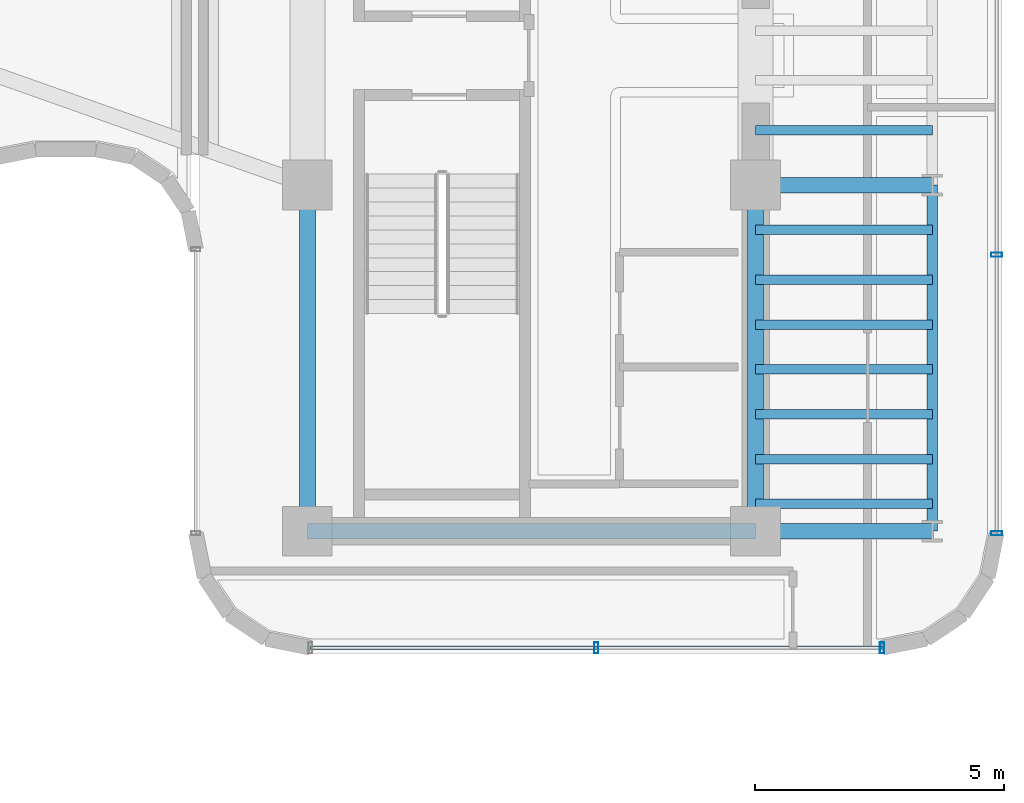
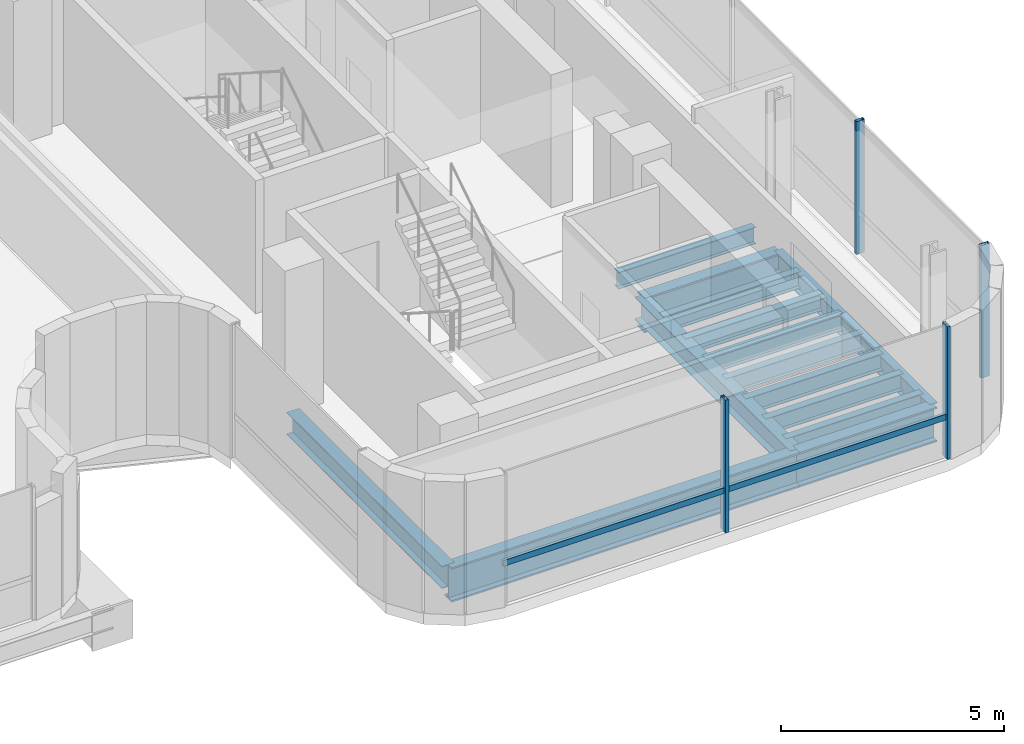
# One storey, part 13 of 39: 14 beams, 5 members, 2 elements without a shape of their own.
"""IFC4 building model written with IfcOpenShell, lengths in metres."""

import ifcopenshell
import ifcopenshell.guid

model = None  # the IFC model being written
_history = None  # IfcOwnerHistory: only IFC2X3 demands one
_inside = {}  # id of a spatial element -> (the spatial element, [elements in it])
_under = {}  # id of a project, library or spatial element -> (it, [spatial elements below it])
_declared = {}  # id of a project -> (the project, [libraries it declares])
_typed = {}  # id of a type object -> (the type object, [elements of that type])
_made_of = {}  # id of a material, layer set ... -> (it, [elements and type objects made of it])


def new_model(schema):
    """Start an empty IFC model of exactly this schema.

    Asked for "IFC4X3", IfcOpenShell would pick the latest addendum, in which some entities
    have other attributes; the version numbers below select the first issue.
    IFC2X3 requires an IfcOwnerHistory on every rooted entity: one is made here for all.
    """
    global model, _history
    if schema == "IFC4X3":
        model = ifcopenshell.file(schema_version=(4, 3, 0, 0))
    else:
        model = ifcopenshell.file(schema=schema)
    _inside.clear()
    _under.clear()
    _declared.clear()
    _typed.clear()
    _made_of.clear()
    _history = None
    if model.schema == "IFC2X3":
        org = make("IfcOrganization", Name="unknown")
        user = make(
            "IfcPersonAndOrganization",
            ThePerson=make("IfcPerson", FamilyName="unknown"),
            TheOrganization=org,
        )
        app = make(
            "IfcApplication",
            ApplicationDeveloper=org,
            Version="unknown",
            ApplicationFullName="unknown",
            ApplicationIdentifier="unknown",
        )
        _history = make(
            "IfcOwnerHistory",
            OwningUser=user,
            OwningApplication=app,
            ChangeAction="ADDED",
            CreationDate=0,
        )
    return model


def make(cls, **values):
    """One entity of the class cls with the attributes given. An attribute that is None is left unset."""
    return model.create_entity(
        cls, **{name: value for name, value in values.items() if value is not None}
    )


def rooted(cls, **values):
    """An entity with a GlobalId (a new one), such as an element, a storey or a relation."""
    return make(cls, GlobalId=ifcopenshell.guid.new(), OwnerHistory=_history, **values)


def si_unit(unit_type, name, prefix=None):
    """IfcSIUnit, for example si_unit("LENGTHUNIT", "METRE", prefix="MILLI")."""
    return make("IfcSIUnit", UnitType=unit_type, Prefix=prefix, Name=name)


def assignment(units):
    """IfcUnitAssignment: the units of a project."""
    return None if units is None else make("IfcUnitAssignment", Units=units)


def point(xyz):
    """IfcCartesianPoint."""
    return None if xyz is None else make("IfcCartesianPoint", Coordinates=xyz)


def direction(xyz):
    """IfcDirection."""
    return None if xyz is None else make("IfcDirection", DirectionRatios=xyz)


def frame(location, z_axis=None, x_axis=None):
    """IfcAxis2Placement3D, a coordinate frame: its origin and axes. An axis left out is left unset."""
    return make(
        "IfcAxis2Placement3D",
        Location=point(location),
        Axis=direction(z_axis),
        RefDirection=direction(x_axis),
    )


def frame_2d(location, x_axis=None):
    """IfcAxis2Placement2D, a coordinate frame in the plane: its origin and x axis."""
    return make(
        "IfcAxis2Placement2D", Location=point(location), RefDirection=direction(x_axis)
    )


def origin():
    """The frame at (0, 0, 0) with its axes left unset."""
    return frame((0.0, 0.0, 0.0))


def origin_2d():
    """The frame at (0, 0) in the plane with its x axis left unset."""
    return frame_2d((0.0, 0.0))


def place(relative_to, where):
    """IfcLocalPlacement: puts the frame where relative to a parent placement (None: the world)."""
    return make(
        "IfcLocalPlacement", PlacementRelTo=relative_to, RelativePlacement=where
    )


def context(
    kind, dimensions, precision=None, world=None, true_north=None, identifier=None
):
    """IfcGeometricRepresentationContext, for example the 3D "Model" context."""
    return make(
        "IfcGeometricRepresentationContext",
        ContextIdentifier=identifier,
        ContextType=kind,
        CoordinateSpaceDimension=dimensions,
        Precision=precision,
        WorldCoordinateSystem=world,
        TrueNorth=true_north,
    )


def subcontext(parent, identifier, kind, view, scale=None):
    """IfcGeometricRepresentationSubContext, for example "Body" below "Model"."""
    return make(
        "IfcGeometricRepresentationSubContext",
        ContextIdentifier=identifier,
        ContextType=kind,
        ParentContext=parent,
        TargetScale=scale,
        TargetView=view,
    )


def project(units=None, contexts=None):
    """IfcProject with its units and contexts."""
    return rooted(
        "IfcProject",
        Name="project",
        RepresentationContexts=contexts,
        UnitsInContext=assignment(units),
    )


def spatial(cls, under=None, at=None, **own):
    """A site, building, storey or space (cls), placed at a placement, below another one or the project."""
    s = rooted(cls, ObjectPlacement=at, **own)
    if under is not None:
        _under.setdefault(under.id(), (under, []))[1].append(s)
    return s


def profile(cls, at=None, kind="AREA", **sizes):
    """A parametric profile (cls). Its sizes go by their IFC names, for example OverallWidth=200.0."""
    return make(cls, ProfileType=kind, Position=at, **sizes)


def hollow_rectangle(**sizes):
    """IfcRectangleHollowProfileDef."""
    return profile("IfcRectangleHollowProfileDef", **sizes)


def i_section(**sizes):
    """IfcIShapeProfileDef."""
    return profile("IfcIShapeProfileDef", **sizes)


def extrude(swept, where, along, depth):
    """IfcExtrudedAreaSolid: the profile swept, set in the frame where, extruded along a direction by depth."""
    return make(
        "IfcExtrudedAreaSolid",
        SweptArea=swept,
        Position=where,
        ExtrudedDirection=direction(along),
        Depth=depth,
    )


def shape(context_of_items, identifier, shape_type, items):
    """IfcShapeRepresentation: the items that make up one representation, for example the "Body"."""
    return make(
        "IfcShapeRepresentation",
        ContextOfItems=context_of_items,
        RepresentationIdentifier=identifier,
        RepresentationType=shape_type,
        Items=items,
    )


def source(mapping_origin, context_of_items, identifier, shape_type, items):
    """IfcRepresentationMap: a shape defined once, which mapped items show again and again."""
    return make(
        "IfcRepresentationMap",
        MappingOrigin=mapping_origin,
        MappedRepresentation=shape(context_of_items, identifier, shape_type, items),
    )


def transform(
    local_origin,
    x_axis=None,
    y_axis=None,
    z_axis=None,
    scale=None,
    scale2=None,
    scale3=None,
    uniform=True,
):
    """IfcCartesianTransformationOperator3D, or its non-uniform kind. x_axis, y_axis, z_axis: its Axis1, 2, 3."""
    if uniform:
        return make(
            "IfcCartesianTransformationOperator3D",
            Axis1=direction(x_axis),
            Axis2=direction(y_axis),
            LocalOrigin=point(local_origin),
            Scale=scale,
            Axis3=direction(z_axis),
        )
    return make(
        "IfcCartesianTransformationOperator3DnonUniform",
        Axis1=direction(x_axis),
        Axis2=direction(y_axis),
        LocalOrigin=point(local_origin),
        Scale=scale,
        Axis3=direction(z_axis),
        Scale2=scale2,
        Scale3=scale3,
    )


def mapped(mapping_source, mapping_target):
    """IfcMappedItem: shows the shape of a source again, moved by a transform."""
    return make(
        "IfcMappedItem", MappingSource=mapping_source, MappingTarget=mapping_target
    )


def material(Name=None, Category=None):
    """IfcMaterial."""
    return make("IfcMaterial", Name=Name, Category=Category)


def material_profile(
    of_material, cross_section, Name=None, Category=None, Priority=None
):
    """IfcMaterialProfile: a cross section and its material."""
    return make(
        "IfcMaterialProfile",
        Name=Name,
        Material=of_material,
        Profile=cross_section,
        Priority=Priority,
        Category=Category,
    )


def profile_set(profiles, Name=None, composite=None):
    """IfcMaterialProfileSet."""
    return make(
        "IfcMaterialProfileSet",
        Name=Name,
        MaterialProfiles=profiles,
        CompositeProfile=composite,
    )


def made_of(thing, what):
    """Note that an element or type object is made of a material, layer set ...; save() writes the relation."""
    if what is not None:
        _made_of.setdefault(what.id(), (what, []))[1].append(thing)
    return thing


def type_object(cls, material=None, **own):
    """A type object (cls), such as IfcWallType, which elements share."""
    return made_of(rooted(cls, **own), material)


def element(
    cls,
    number,
    at=None,
    inside=None,
    cuts=None,
    type_object=None,
    material=None,
    context=None,
    identifier="Body",
    shape_type=None,
    held_by="IfcProductDefinitionShape",
    body=None,
    shapes=None,
    **own,
):
    """One element of the class cls, such as IfcWall. Its Tag is "e" and its number.

    at: its placement. inside: the storey or other place that contains it. cuts: it is an
    opening in that element (IfcRelVoidsElement). A single representation is given by context,
    identifier, shape_type and body (its items); several are given by shapes. held_by: the class
    of the entity that holds the representations. save() writes the other relations.
    """
    e = rooted(cls, Tag="e%d" % number, ObjectPlacement=at, **own)
    if body is not None:
        shapes = [shape(context, identifier, shape_type, body)]
    if shapes is not None:
        e.Representation = make(held_by, Representations=shapes)
    if inside is not None:
        _inside.setdefault(inside.id(), (inside, []))[1].append(e)
    if cuts is not None:
        rooted(
            "IfcRelVoidsElement", RelatingBuildingElement=cuts, RelatedOpeningElement=e
        )
    if type_object is not None:
        _typed.setdefault(type_object.id(), (type_object, []))[1].append(e)
    return made_of(e, material)


def aggregate(whole, parts):
    """IfcRelAggregates: a whole, such as a stair, and the parts it consists of."""
    return rooted("IfcRelAggregates", RelatingObject=whole, RelatedObjects=parts)


def save(model, path):
    """Write the relations noted so far, then the file.

    IfcRelAggregates (storeys below a building ...), IfcRelContainedInSpatialStructure (elements
    in a storey), IfcRelDefinesByType, IfcRelAssociatesMaterial and IfcRelDeclares: one each for
    every whole, place, type object, material and project.
    """
    for whole, parts in _under.values():
        aggregate(whole, parts)
    for where, things in _inside.values():
        rooted(
            "IfcRelContainedInSpatialStructure",
            RelatedElements=things,
            RelatingStructure=where,
        )
    for kind, things in _typed.values():
        rooted("IfcRelDefinesByType", RelatedObjects=things, RelatingType=kind)
    for what, things in _made_of.values():
        rooted("IfcRelAssociatesMaterial", RelatedObjects=things, RelatingMaterial=what)
    for by, libraries in _declared.values():
        rooted("IfcRelDeclares", RelatingContext=by, RelatedDefinitions=libraries)
    model.write(path)


model = new_model("IFC4")

# Units and contexts
model_context = context("Model", 3, precision=1e-05, world=origin(), true_north=direction((0.0, 1.0)))
body_context = subcontext(model_context, "Body", "Model", "MODEL_VIEW")
ifc_project = project(units=[si_unit("LENGTHUNIT", "METRE"), si_unit("AREAUNIT", "SQUARE_METRE"), si_unit("VOLUMEUNIT", "CUBIC_METRE"), si_unit("PLANEANGLEUNIT", "RADIAN"), si_unit("MASSUNIT", "GRAM", prefix="KILO")], contexts=[model_context])

# Site, building, storey
site_placement = place(None, origin())
site = spatial("IfcSite", under=ifc_project, at=site_placement, CompositionType="ELEMENT")
building_placement = place(site_placement, origin())
building = spatial("IfcBuilding", under=site, at=building_placement, Name="Valdorenza Pilgrim Sanctuary Tower", CompositionType="ELEMENT")
storey_placement = place(building_placement, frame((0.0, 0.0, 184.449951171875)))
storey = spatial("IfcBuildingStorey", under=building, at=storey_placement, Name="L47", CompositionType="ELEMENT", Elevation=184.449951171875)

# Beams
ifc_material_1 = material(Name="Steel ASTM A992 Grade 50", Category="steel")
ifc_material_profile_1 = material_profile(ifc_material_1, i_section(OverallWidth=0.323974609375, OverallDepth=0.611083984375, WebThickness=0.0126953125, FlangeThickness=0.01904296875, at=origin_2d()), Name="W24X104")
ifc_profile_set_1 = profile_set([ifc_material_profile_1], Name="Steel ASTM A992 Grade 50")
beam_type_1 = type_object("IfcBeamType", Name="STR-BM-GRD-W24B", PredefinedType="BEAM", material=ifc_profile_set_1)
shared_shape_1 = source(origin(), body_context, "Body", "SweptSolid", [
    extrude(i_section(OverallWidth=0.323974609375, OverallDepth=0.611083984375, WebThickness=0.0126953125, FlangeThickness=0.01904296875, at=origin_2d()), origin(), (0.0, 0.0, 1.0), 6.949951171875),
])
for number, where, z_axis, x_axis, name in (
    (1, (15.85009765625, -9.550048828125, -0.62548828125), (0.0, 1.0, 0.0), (-1.0, 0.0, 0.0), "L47 Core Tie Girder CB-W-S1M0"),
    (2, (24.85009765625, -9.550048828125, -0.62548828125), (0.0, 1.0, 0.0), (-1.0, 0.0, 0.0), "L47 Core Tie Girder CB-E-S1M0"),
):
    element("IfcBeam", number, at=place(storey_placement, frame(where, z_axis=z_axis, x_axis=x_axis)), inside=storey, type_object=beam_type_1, Name=name, PredefinedType="BEAM", context=body_context, shape_type="MappedRepresentation", body=[
        mapped(shared_shape_1, transform((0.0, 0.0, 0.0), x_axis=(1.0, 0.0, 0.0), y_axis=(0.0, 1.0, 0.0), z_axis=(0.0, 0.0, 1.0), scale=1.0)),
    ])
ifc_material_profile_2 = material_profile(ifc_material_1, i_section(OverallWidth=0.19091796875, OverallDepth=0.45703125, WebThickness=0.009033203125, FlangeThickness=0.014404296875, at=origin_2d()), Name="W18X50")
ifc_profile_set_2 = profile_set([ifc_material_profile_2], Name="Steel ASTM A992 Grade 50")
beam_type_2 = type_object("IfcBeamType", Name="STR-BM-JST-W18B", PredefinedType="JOIST", material=ifc_profile_set_2)
shared_shape_2 = source(origin(), body_context, "Body", "SweptSolid", [
    extrude(i_section(OverallWidth=0.19091796875, OverallDepth=0.45703125, WebThickness=0.009033203125, FlangeThickness=0.014404296875, at=origin_2d()), origin(), (0.0, 0.0, 1.0), 3.5498046875),
])
for number, where, z_axis, x_axis, name in (
    (3, (24.85009765625, -9.0, -0.54833984375), (1.0, 0.0, 0.0), (0.0, 1.0, 0.0), "L47 Composite Floor Joist JST-WB-1"),
    (4, (24.85009765625, -8.10009765625, -0.54833984375), (1.0, 0.0, 0.0), (0.0, 1.0, 0.0), "L47 Composite Floor Joist JST-WB-2"),
    (5, (24.85009765625, -7.199951171875, -0.54833984375), (1.0, 0.0, 0.0), (0.0, 1.0, 0.0), "L47 Composite Floor Joist JST-WB-3"),
    (6, (24.85009765625, -6.300048828125, -0.54833984375), (1.0, 0.0, 0.0), (0.0, 1.0, 0.0), "L47 Composite Floor Joist JST-WB-4"),
    (7, (24.85009765625, -5.39990234375, -0.54833984375), (1.0, 0.0, 0.0), (0.0, 1.0, 0.0), "L47 Composite Floor Joist JST-WB-5"),
    (8, (24.85009765625, -4.5, -0.54833984375), (1.0, 0.0, 0.0), (0.0, 1.0, 0.0), "L47 Composite Floor Joist JST-WB-6"),
    (9, (24.85009765625, -3.5, -0.54833984375), (1.0, 0.0, 0.0), (0.0, 1.0, 0.0), "L47 Composite Floor Joist JST-WB-7"),
    (10, (24.85009765625, -1.5, -0.54833984375), (1.0, 0.0, 0.0), (0.0, 1.0, 0.0), "L47 Composite Floor Joist JST-WB-8"),
):
    element("IfcBeam", number, at=place(storey_placement, frame(where, z_axis=z_axis, x_axis=x_axis)), inside=storey, type_object=beam_type_2, Name=name, PredefinedType="JOIST", context=body_context, shape_type="MappedRepresentation", body=[
        mapped(shared_shape_2, transform((0.0, 0.0, 0.0), x_axis=(1.0, 0.0, 0.0), y_axis=(0.0, 1.0, 0.0), z_axis=(0.0, 0.0, 1.0), scale=1.0)),
    ])
ifc_material_profile_3 = material_profile(ifc_material_1, i_section(OverallWidth=0.2109375, OverallDepth=0.5390625, WebThickness=0.01171875, FlangeThickness=0.018798828125, at=origin_2d()), Name="W21X73")
ifc_profile_set_3 = profile_set([ifc_material_profile_3], Name="Steel ASTM A992 Grade 50")
beam_type_3 = type_object("IfcBeamType", Name="STR-BM-SPN-W21B", PredefinedType="SPANDREL", material=ifc_profile_set_3)
shared_shape_3 = source(origin(), body_context, "Body", "SweptSolid", [
    extrude(i_section(OverallWidth=0.2109375, OverallDepth=0.5390625, WebThickness=0.01171875, FlangeThickness=0.018798828125, at=origin_2d()), origin(), (0.0, 0.0, 1.0), 6.949951171875),
])
beam_1_placement = place(storey_placement, frame((28.39990234375, -9.550048828125, -0.58935546875), z_axis=(0.0, 1.0, 0.0), x_axis=(-1.0, 0.0, 0.0)))
element("IfcBeam", 11, at=beam_1_placement, inside=storey, type_object=beam_type_3, Name="L47 Spandrel Beam WB-E-S1M0", PredefinedType="SPANDREL", context=body_context, shape_type="MappedRepresentation", body=[
    mapped(shared_shape_3, transform((0.0, 0.0, 0.0), x_axis=(1.0, 0.0, 0.0), y_axis=(0.0, 1.0, 0.0), z_axis=(0.0, 0.0, 1.0), scale=1.0)),
])
ifc_material_profile_4 = material_profile(ifc_material_1, i_section(OverallWidth=0.31005859375, OverallDepth=0.949951171875, WebThickness=0.0244140625, FlangeThickness=0.0439453125, at=origin_2d()), Name="W36X256")
ifc_profile_set_4 = profile_set([ifc_material_profile_4], Name="Steel ASTM A992 Grade 50")
beam_type_4 = type_object("IfcBeamType", Name="STR-BM-GRD-W36B", PredefinedType="BEAM", material=ifc_profile_set_4)
shared_shape_4 = source(origin(), body_context, "Body", "SweptSolid", [
    extrude(i_section(OverallWidth=0.31005859375, OverallDepth=0.949951171875, WebThickness=0.0244140625, FlangeThickness=0.0439453125, at=origin_2d()), origin(), (0.0, 0.0, 1.0), 9.0),
])
beam_2_placement = place(storey_placement, frame((15.85009765625, -9.550048828125, -0.794921875), z_axis=(1.0, 0.0, 0.0), x_axis=(0.0, 1.0, 0.0)))
element("IfcBeam", 12, at=beam_2_placement, inside=storey, type_object=beam_type_4, Name="L47 Floor Girder CB-XC-S1", PredefinedType="BEAM", context=body_context, shape_type="MappedRepresentation", body=[
    mapped(shared_shape_4, transform((0.0, 0.0, 0.0), x_axis=(1.0, 0.0, 0.0), y_axis=(0.0, 1.0, 0.0), z_axis=(0.0, 0.0, 1.0), scale=1.0)),
])
shared_shape_5 = source(origin(), body_context, "Body", "SweptSolid", [
    extrude(i_section(OverallWidth=0.31005859375, OverallDepth=0.949951171875, WebThickness=0.0244140625, FlangeThickness=0.0439453125, at=origin_2d()), origin(), (0.0, 0.0, 1.0), 3.5498046875),
])
for number, where, z_axis, x_axis, name in (
    (13, (24.85009765625, -9.550048828125, -0.794921875), (1.0, 0.0, 0.0), (0.0, 1.0, 0.0), "L47 Floor Girder WB-XE-S1"),
    (14, (24.85009765625, -2.60009765625, -0.794921875), (1.0, 0.0, 0.0), (0.0, 1.0, 0.0), "L47 Floor Girder WB-XE-M0"),
):
    element("IfcBeam", number, at=place(storey_placement, frame(where, z_axis=z_axis, x_axis=x_axis)), inside=storey, type_object=beam_type_4, Name=name, PredefinedType="BEAM", context=body_context, shape_type="MappedRepresentation", body=[
        mapped(shared_shape_5, transform((0.0, 0.0, 0.0), x_axis=(1.0, 0.0, 0.0), y_axis=(0.0, 1.0, 0.0), z_axis=(0.0, 0.0, 1.0), scale=1.0)),
    ])

# Curtain wall, member
ifc_material_2 = material(Name="Curtain-wall IGU glazing", Category="glass")
curtain_wall_type = type_object("IfcCurtainWallType", Name="CW-SYS-03", PredefinedType="NOTDEFINED", material=ifc_material_2)
curtain_wall_1_placement = place(storey_placement, origin())
curtain_wall_1 = element("IfcCurtainWall", 15, at=curtain_wall_1_placement, inside=storey, type_object=curtain_wall_type, Name="L47 Curtain Wall CW-L47-1-42", PredefinedType="NOTDEFINED")
ifc_material_3 = material(Name="Anodised aluminium AW-6060", Category="aluminium")
ifc_material_profile_5 = material_profile(ifc_material_3, hollow_rectangle(XDim=0.074951171875, YDim=0.159912109375, WallThickness=0.00390625, at=origin_2d()), Name="ALU-T 160x75x4")
ifc_profile_set_5 = profile_set([ifc_material_profile_5], Name="Anodised aluminium AW-6060")
member_type_1 = type_object("IfcMemberType", Name="CW-TRN-03", PredefinedType="USERDEFINED", material=ifc_profile_set_5)
shared_shape_6 = source(origin(), body_context, "Body", "SweptSolid", [
    extrude(hollow_rectangle(XDim=0.074951171875, YDim=0.159912109375, WallThickness=0.00390625, at=origin_2d()), origin(), (0.0, 0.0, 1.0), 11.478271484375),
])
member_1_placement = place(storey_placement, frame((27.38916015625, -11.889892578125, 1.1201171875), z_axis=(-1.0, 0.0, 0.0), x_axis=(0.0, -1.0, 0.0)))
member_1 = element("IfcMember", 16, at=member_1_placement, type_object=member_type_1, Name="CW-L47-1-42 Transom 1", ObjectType="TRANSOM", PredefinedType="USERDEFINED", context=body_context, shape_type="MappedRepresentation", body=[
    mapped(shared_shape_6, transform((0.0, 0.0, 0.0), x_axis=(1.0, 0.0, 0.0), y_axis=(0.0, 1.0, 0.0), z_axis=(0.0, 0.0, 1.0), scale=1.0)),
])

# Curtain wall, members
curtain_wall_2_placement = place(storey_placement, origin())
curtain_wall_2 = element("IfcCurtainWall", 17, at=curtain_wall_2_placement, inside=storey, type_object=curtain_wall_type, Name="L47 Curtain Wall CW-L47-1-37", PredefinedType="NOTDEFINED")
ifc_material_profile_6 = material_profile(ifc_material_3, hollow_rectangle(XDim=0.0849609375, YDim=0.219970703125, WallThickness=0.0048828125, at=origin_2d()), Name="ALU-M 220x85x5")
ifc_profile_set_6 = profile_set([ifc_material_profile_6], Name="Anodised aluminium AW-6060")
member_type_2 = type_object("IfcMemberType", Name="CW-MUL-03", PredefinedType="MULLION", material=ifc_profile_set_6)
shared_shape_7 = source(origin(), body_context, "Body", "SweptSolid", [
    extrude(hollow_rectangle(XDim=0.0849609375, YDim=0.219970703125, WallThickness=0.0048828125, at=origin_2d()), origin(), (0.0, 0.0, 1.0), 3.630126953125),
])
member_2_placement = place(storey_placement, frame((29.68994140625, -3.999755859375, 0.0), z_axis=(0.0, 0.0, 1.0), x_axis=(0.0, -1.0, 0.0)))
member_2 = element("IfcMember", 18, at=member_2_placement, type_object=member_type_2, Name="CW-L47-1-37 Mullion 4", PredefinedType="MULLION", context=body_context, shape_type="MappedRepresentation", body=[
    mapped(shared_shape_7, transform((0.0, 0.0, 0.0), x_axis=(1.0, 0.0, 0.0), y_axis=(0.0, 1.0, 0.0), z_axis=(0.0, 0.0, 1.0), scale=1.0)),
])
member_3_placement = place(storey_placement, frame((29.68994140625, -9.589111328125, 0.0), z_axis=(0.0, 0.0, 1.0), x_axis=(0.0, -1.0, 0.0)))
member_3 = element("IfcMember", 19, at=member_3_placement, type_object=member_type_2, Name="CW-L47-1-37 Mullion 5", PredefinedType="MULLION", context=body_context, shape_type="MappedRepresentation", body=[
    mapped(shared_shape_7, transform((0.0, 0.0, 0.0), x_axis=(1.0, 0.0, 0.0), y_axis=(0.0, 1.0, 0.0), z_axis=(0.0, 0.0, 1.0), scale=1.0)),
])
aggregate(curtain_wall_2, [member_2, member_3])

# Member
member_4_placement = place(storey_placement, frame((27.38916015625, -11.889892578125, 0.0), z_axis=(0.0, 0.0, 1.0), x_axis=(-1.0, 0.0, 0.0)))
member_4 = element("IfcMember", 20, at=member_4_placement, type_object=member_type_2, Name="CW-L47-1-42 Mullion 1", PredefinedType="MULLION", context=body_context, shape_type="MappedRepresentation", body=[
    mapped(shared_shape_7, transform((0.0, 0.0, 0.0), x_axis=(1.0, 0.0, 0.0), y_axis=(0.0, 1.0, 0.0), z_axis=(0.0, 0.0, 1.0), scale=1.0)),
])

member_5_placement = place(storey_placement, frame((21.64990234375, -11.889892578125, 0.0), z_axis=(0.0, 0.0, 1.0), x_axis=(-1.0, 0.0, 0.0)))
member_5 = element("IfcMember", 21, at=member_5_placement, type_object=member_type_2, Name="CW-L47-1-42 Mullion 2", PredefinedType="MULLION", context=body_context, shape_type="MappedRepresentation", body=[
    mapped(shared_shape_7, transform((0.0, 0.0, 0.0), x_axis=(1.0, 0.0, 0.0), y_axis=(0.0, 1.0, 0.0), z_axis=(0.0, 0.0, 1.0), scale=1.0)),
])

aggregate(curtain_wall_1, [member_4, member_5, member_1])

save(model, "model.ifc")
